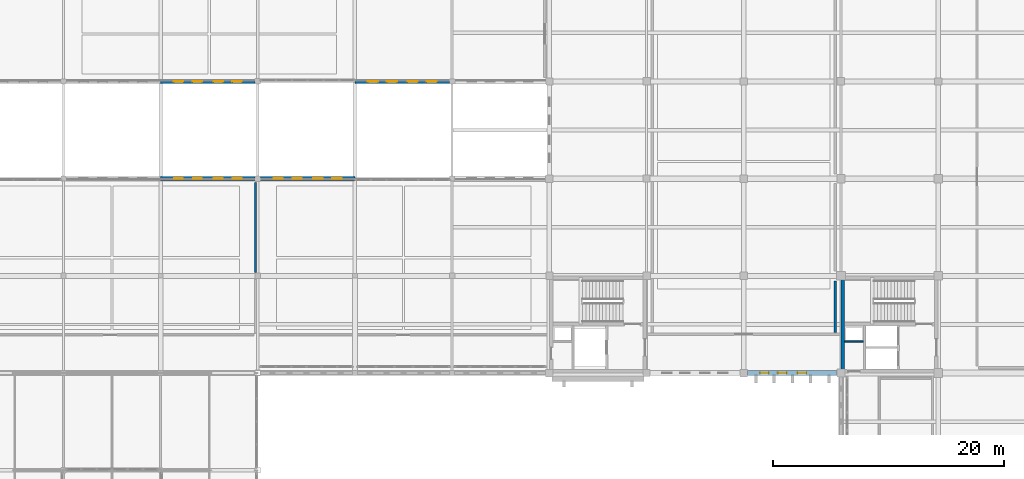
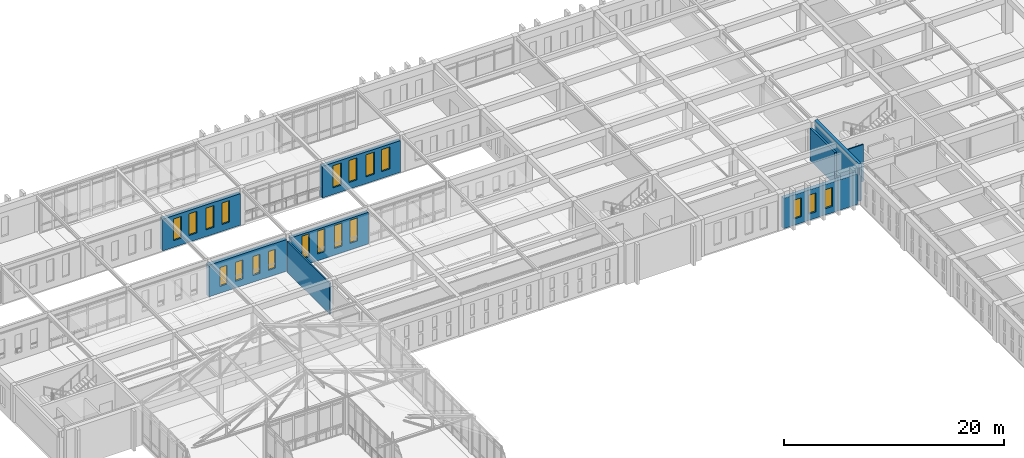
# One storey, part 172 of 192: 19 windows, 9 walls, 19 openings.
"""IFC4 building model written with IfcOpenShell, lengths in metres."""

from ifc_helpers import new_model, si_unit, direction, frame, frame_2d, origin, place, context, subcontext, project, spatial, rectangle, extrude, material, layer, layer_set, type_object, element, fill, save


model = new_model("IFC4")

# Units and contexts
model_context = context("Model", 3, precision=1e-05, world=origin(), true_north=direction((0.0, 1.0)))
body_context = subcontext(model_context, "Body", "Model", "MODEL_VIEW")
ifc_project = project(units=[si_unit("LENGTHUNIT", "METRE"), si_unit("AREAUNIT", "SQUARE_METRE"), si_unit("VOLUMEUNIT", "CUBIC_METRE"), si_unit("PLANEANGLEUNIT", "RADIAN"), si_unit("MASSUNIT", "GRAM", prefix="KILO")], contexts=[model_context])

# Site, building, storey
site_placement = place(None, origin())
site = spatial("IfcSite", under=ifc_project, at=site_placement, CompositionType="ELEMENT")
building_placement = place(site_placement, origin())
building = spatial("IfcBuilding", under=site, at=building_placement, Name="Kveldsbrygga Polytechnic", CompositionType="ELEMENT")
storey_placement = place(building_placement, frame((0.0, 0.0, 5.43994140625)))
storey = spatial("IfcBuildingStorey", under=building, at=storey_placement, Name="L01", CompositionType="ELEMENT", Elevation=5.43994140625)

# Wall, openings, windows
ifc_material_1 = material(Name="Fired clay brick masonry M10", Category="masonry")
ifc_layer_1 = layer(ifc_material_1, 0.3798828125)
ifc_layer_set_1 = layer_set([ifc_layer_1], Name="Fired clay brick masonry M10")
wall_type_1 = type_object("IfcWallType", Name="EW-BRICK-380", PredefinedType="SOLIDWALL", material=ifc_layer_set_1)
wall_1_placement = place(storey_placement, frame((67.199951171875, 109.199951171875, 0.0), z_axis=(0.0, 0.0, 1.0), x_axis=(1.0, 0.0, 0.0)))
wall_1 = element("IfcWall", 1, at=wall_1_placement, inside=storey, type_object=wall_type_1, Name="Exterior Brick Wall EW-L01-X-08-13", PredefinedType="SOLIDWALL", context=body_context, shape_type="SweptSolid", body=[
    extrude(rectangle(XDim=8.175048828125, YDim=0.3798828125, at=frame_2d((4.08740234375, 0.0))), origin(), (0.0, 0.0, 1.0), 3.52001953125),
])
opening_1_placement = place(wall_1_placement, frame((1.143310546875, 0.0, 0.75)))
opening_1 = element("IfcOpeningElement", 2, at=opening_1_placement, cuts=wall_1, Name="Opening W-12", PredefinedType="OPENING", context=body_context, shape_type="SweptSolid", body=[
    extrude(rectangle(XDim=0.820068359375, YDim=2.39990234375, at=frame_2d((0.41015625, 1.199951171875))), frame((0.0, 0.199951171875, 0.0), z_axis=(0.0, -1.0, 0.0), x_axis=(1.0, 0.0, 0.0)), (0.0, 0.0, 1.0), 0.39990234375),
])
opening_2_placement = place(wall_1_placement, frame((2.7783203125, 0.0, 0.75)))
opening_2 = element("IfcOpeningElement", 3, at=opening_2_placement, cuts=wall_1, Name="Opening W-12", PredefinedType="OPENING", context=body_context, shape_type="SweptSolid", body=[
    extrude(rectangle(XDim=0.820068359375, YDim=2.39990234375, at=frame_2d((0.41015625, 1.199951171875))), frame((0.0, 0.199951171875, 0.0), z_axis=(0.0, -1.0, 0.0), x_axis=(1.0, 0.0, 0.0)), (0.0, 0.0, 1.0), 0.39990234375),
])
opening_3_placement = place(wall_1_placement, frame((4.57666015625, 0.0, 0.75)))
opening_3 = element("IfcOpeningElement", 4, at=opening_3_placement, cuts=wall_1, Name="Opening W-12", PredefinedType="OPENING", context=body_context, shape_type="SweptSolid", body=[
    extrude(rectangle(XDim=0.820068359375, YDim=2.39990234375, at=frame_2d((0.41015625, 1.199951171875))), frame((0.0, 0.199951171875, 0.0), z_axis=(0.0, -1.0, 0.0), x_axis=(1.0, 0.0, 0.0)), (0.0, 0.0, 1.0), 0.39990234375),
])
opening_4_placement = place(wall_1_placement, frame((6.211669921875, 0.0, 0.75)))
opening_4 = element("IfcOpeningElement", 5, at=opening_4_placement, cuts=wall_1, Name="Opening W-12", PredefinedType="OPENING", context=body_context, shape_type="SweptSolid", body=[
    extrude(rectangle(XDim=0.820068359375, YDim=2.39990234375, at=frame_2d((0.41015625, 1.199951171875))), frame((0.0, 0.199951171875, 0.0), z_axis=(0.0, -1.0, 0.0), x_axis=(1.0, 0.0, 0.0)), (0.0, 0.0, 1.0), 0.39990234375),
])
ifc_material_2 = material(Name="Insulated triple low-E glass", Category="glass")
window_type_1 = type_object("IfcWindowType", Name="WN-LANC-082x240", PartitioningType="DOUBLE_PANEL_VERTICAL", PredefinedType="WINDOW", material=ifc_material_2)
window_1_placement = place(opening_1_placement, origin())
window_1 = element("IfcWindow", 6, at=window_1_placement, inside=storey, type_object=window_type_1, Name="Gothic Lancet Window WIN-L01-X-08-13-1", OverallHeight=2.39990234375, OverallWidth=0.820068359375, PartitioningType="DOUBLE_PANEL_VERTICAL", PredefinedType="WINDOW", context=body_context, shape_type="SweptSolid", body=[
    extrude(rectangle(XDim=0.820068359375, YDim=2.39990234375, at=frame_2d((0.41015625, 1.199951171875))), frame((0.0, 0.030029296875, 0.0), z_axis=(0.0, -1.0, 0.0), x_axis=(1.0, 0.0, 0.0)), (0.0, 0.0, 1.0), 0.06005859375),
])
fill(opening_1, window_1)
window_2_placement = place(opening_2_placement, origin())
window_2 = element("IfcWindow", 7, at=window_2_placement, inside=storey, type_object=window_type_1, Name="Gothic Lancet Window WIN-L01-X-08-13-2", OverallHeight=2.39990234375, OverallWidth=0.820068359375, PartitioningType="DOUBLE_PANEL_VERTICAL", PredefinedType="WINDOW", context=body_context, shape_type="SweptSolid", body=[
    extrude(rectangle(XDim=0.820068359375, YDim=2.39990234375, at=frame_2d((0.41015625, 1.199951171875))), frame((0.0, 0.030029296875, 0.0), z_axis=(0.0, -1.0, 0.0), x_axis=(1.0, 0.0, 0.0)), (0.0, 0.0, 1.0), 0.06005859375),
])
fill(opening_2, window_2)
window_3_placement = place(opening_3_placement, origin())
window_3 = element("IfcWindow", 8, at=window_3_placement, inside=storey, type_object=window_type_1, Name="Gothic Lancet Window WIN-L01-X-08-13-3", OverallHeight=2.39990234375, OverallWidth=0.820068359375, PartitioningType="DOUBLE_PANEL_VERTICAL", PredefinedType="WINDOW", context=body_context, shape_type="SweptSolid", body=[
    extrude(rectangle(XDim=0.820068359375, YDim=2.39990234375, at=frame_2d((0.41015625, 1.199951171875))), frame((0.0, 0.030029296875, 0.0), z_axis=(0.0, -1.0, 0.0), x_axis=(1.0, 0.0, 0.0)), (0.0, 0.0, 1.0), 0.06005859375),
])
fill(opening_3, window_3)
window_4_placement = place(opening_4_placement, origin())
window_4 = element("IfcWindow", 9, at=window_4_placement, inside=storey, type_object=window_type_1, Name="Gothic Lancet Window WIN-L01-X-08-13-4", OverallHeight=2.39990234375, OverallWidth=0.820068359375, PartitioningType="DOUBLE_PANEL_VERTICAL", PredefinedType="WINDOW", context=body_context, shape_type="SweptSolid", body=[
    extrude(rectangle(XDim=0.820068359375, YDim=2.39990234375, at=frame_2d((0.41015625, 1.199951171875))), frame((0.0, 0.030029296875, 0.0), z_axis=(0.0, -1.0, 0.0), x_axis=(1.0, 0.0, 0.0)), (0.0, 0.0, 1.0), 0.06005859375),
])
fill(opening_4, window_4)

wall_2_placement = place(storey_placement, frame((75.824951171875, 100.800048828125, 0.0), z_axis=(0.0, 0.0, 1.0), x_axis=(1.0, 0.0, 0.0)))
wall_2 = element("IfcWall", 10, at=wall_2_placement, inside=storey, type_object=wall_type_1, Name="Exterior Brick Wall EW-L01-X-09-12", PredefinedType="SOLIDWALL", context=body_context, shape_type="SweptSolid", body=[
    extrude(rectangle(XDim=8.175048828125, YDim=0.3798828125, at=frame_2d((4.08740234375, 0.0))), origin(), (0.0, 0.0, 1.0), 3.52001953125),
])
opening_5_placement = place(wall_2_placement, frame((1.1533203125, 0.0, 0.75)))
opening_5 = element("IfcOpeningElement", 11, at=opening_5_placement, cuts=wall_2, Name="Opening W-10", PredefinedType="OPENING", context=body_context, shape_type="SweptSolid", body=[
    extrude(rectangle(XDim=0.800048828125, YDim=2.550048828125, at=frame_2d((0.39990234375, 1.27490234375))), frame((0.0, 0.199951171875, 0.0), z_axis=(0.0, -1.0, 0.0), x_axis=(1.0, 0.0, 0.0)), (0.0, 0.0, 1.0), 0.39990234375),
])
opening_6_placement = place(wall_2_placement, frame((2.788330078125, 0.0, 0.75)))
opening_6 = element("IfcOpeningElement", 12, at=opening_6_placement, cuts=wall_2, Name="Opening W-10", PredefinedType="OPENING", context=body_context, shape_type="SweptSolid", body=[
    extrude(rectangle(XDim=0.800048828125, YDim=2.550048828125, at=frame_2d((0.39990234375, 1.27490234375))), frame((0.0, 0.199951171875, 0.0), z_axis=(0.0, -1.0, 0.0), x_axis=(1.0, 0.0, 0.0)), (0.0, 0.0, 1.0), 0.39990234375),
])
opening_7_placement = place(wall_2_placement, frame((4.586669921875, 0.0, 0.75)))
opening_7 = element("IfcOpeningElement", 13, at=opening_7_placement, cuts=wall_2, Name="Opening W-10", PredefinedType="OPENING", context=body_context, shape_type="SweptSolid", body=[
    extrude(rectangle(XDim=0.800048828125, YDim=2.550048828125, at=frame_2d((0.39990234375, 1.27490234375))), frame((0.0, 0.199951171875, 0.0), z_axis=(0.0, -1.0, 0.0), x_axis=(1.0, 0.0, 0.0)), (0.0, 0.0, 1.0), 0.39990234375),
])
opening_8_placement = place(wall_2_placement, frame((6.2216796875, 0.0, 0.75)))
opening_8 = element("IfcOpeningElement", 14, at=opening_8_placement, cuts=wall_2, Name="Opening W-10", PredefinedType="OPENING", context=body_context, shape_type="SweptSolid", body=[
    extrude(rectangle(XDim=0.800048828125, YDim=2.550048828125, at=frame_2d((0.39990234375, 1.27490234375))), frame((0.0, 0.199951171875, 0.0), z_axis=(0.0, -1.0, 0.0), x_axis=(1.0, 0.0, 0.0)), (0.0, 0.0, 1.0), 0.39990234375),
])
window_type_2 = type_object("IfcWindowType", Name="WN-LANC-080x255", PartitioningType="DOUBLE_PANEL_VERTICAL", PredefinedType="WINDOW", material=ifc_material_2)
window_5_placement = place(opening_5_placement, origin())
window_5 = element("IfcWindow", 15, at=window_5_placement, inside=storey, type_object=window_type_2, Name="Gothic Lancet Window WIN-L01-X-09-12-1", OverallHeight=2.550048828125, OverallWidth=0.800048828125, PartitioningType="DOUBLE_PANEL_VERTICAL", PredefinedType="WINDOW", context=body_context, shape_type="SweptSolid", body=[
    extrude(rectangle(XDim=0.800048828125, YDim=2.550048828125, at=frame_2d((0.39990234375, 1.27490234375))), frame((0.0, 0.030029296875, 0.0), z_axis=(0.0, -1.0, 0.0), x_axis=(1.0, 0.0, 0.0)), (0.0, 0.0, 1.0), 0.06005859375),
])
fill(opening_5, window_5)
window_6_placement = place(opening_6_placement, origin())
window_6 = element("IfcWindow", 16, at=window_6_placement, inside=storey, type_object=window_type_2, Name="Gothic Lancet Window WIN-L01-X-09-12-2", OverallHeight=2.550048828125, OverallWidth=0.800048828125, PartitioningType="DOUBLE_PANEL_VERTICAL", PredefinedType="WINDOW", context=body_context, shape_type="SweptSolid", body=[
    extrude(rectangle(XDim=0.800048828125, YDim=2.550048828125, at=frame_2d((0.39990234375, 1.27490234375))), frame((0.0, 0.030029296875, 0.0), z_axis=(0.0, -1.0, 0.0), x_axis=(1.0, 0.0, 0.0)), (0.0, 0.0, 1.0), 0.06005859375),
])
fill(opening_6, window_6)
window_7_placement = place(opening_7_placement, origin())
window_7 = element("IfcWindow", 17, at=window_7_placement, inside=storey, type_object=window_type_2, Name="Gothic Lancet Window WIN-L01-X-09-12-3", OverallHeight=2.550048828125, OverallWidth=0.800048828125, PartitioningType="DOUBLE_PANEL_VERTICAL", PredefinedType="WINDOW", context=body_context, shape_type="SweptSolid", body=[
    extrude(rectangle(XDim=0.800048828125, YDim=2.550048828125, at=frame_2d((0.39990234375, 1.27490234375))), frame((0.0, 0.030029296875, 0.0), z_axis=(0.0, -1.0, 0.0), x_axis=(1.0, 0.0, 0.0)), (0.0, 0.0, 1.0), 0.06005859375),
])
fill(opening_7, window_7)
window_8_placement = place(opening_8_placement, origin())
window_8 = element("IfcWindow", 18, at=window_8_placement, inside=storey, type_object=window_type_2, Name="Gothic Lancet Window WIN-L01-X-09-12-4", OverallHeight=2.550048828125, OverallWidth=0.800048828125, PartitioningType="DOUBLE_PANEL_VERTICAL", PredefinedType="WINDOW", context=body_context, shape_type="SweptSolid", body=[
    extrude(rectangle(XDim=0.800048828125, YDim=2.550048828125, at=frame_2d((0.39990234375, 1.27490234375))), frame((0.0, 0.030029296875, 0.0), z_axis=(0.0, -1.0, 0.0), x_axis=(1.0, 0.0, 0.0)), (0.0, 0.0, 1.0), 0.06005859375),
])
fill(opening_8, window_8)

wall_3_placement = place(storey_placement, frame((84.0, 109.199951171875, 0.0), z_axis=(0.0, 0.0, 1.0), x_axis=(1.0, 0.0, 0.0)))
wall_3 = element("IfcWall", 19, at=wall_3_placement, inside=storey, type_object=wall_type_1, Name="Exterior Brick Wall EW-L01-X-10-13", PredefinedType="SOLIDWALL", context=body_context, shape_type="SweptSolid", body=[
    extrude(rectangle(XDim=8.18994140625, YDim=0.3798828125, at=frame_2d((4.094970703125, 0.0))), origin(), (0.0, 0.0, 1.0), 3.52001953125),
])
opening_9_placement = place(wall_3_placement, frame((1.1162109375, 0.0, 0.75)))
opening_9 = element("IfcOpeningElement", 20, at=opening_9_placement, cuts=wall_3, Name="Opening W-18", PredefinedType="OPENING", context=body_context, shape_type="SweptSolid", body=[
    extrude(rectangle(XDim=0.8798828125, YDim=2.449951171875, at=frame_2d((0.43994140625, 1.22509765625))), frame((0.0, 0.199951171875, 0.0), z_axis=(0.0, -1.0, 0.0), x_axis=(1.0, 0.0, 0.0)), (0.0, 0.0, 1.0), 0.39990234375),
])
opening_10_placement = place(wall_3_placement, frame((2.754150390625, 0.0, 0.75)))
opening_10 = element("IfcOpeningElement", 21, at=opening_10_placement, cuts=wall_3, Name="Opening W-18", PredefinedType="OPENING", context=body_context, shape_type="SweptSolid", body=[
    extrude(rectangle(XDim=0.8798828125, YDim=2.449951171875, at=frame_2d((0.43994140625, 1.22509765625))), frame((0.0, 0.199951171875, 0.0), z_axis=(0.0, -1.0, 0.0), x_axis=(1.0, 0.0, 0.0)), (0.0, 0.0, 1.0), 0.39990234375),
])
opening_11_placement = place(wall_3_placement, frame((4.555908203125, 0.0, 0.75)))
opening_11 = element("IfcOpeningElement", 22, at=opening_11_placement, cuts=wall_3, Name="Opening W-18", PredefinedType="OPENING", context=body_context, shape_type="SweptSolid", body=[
    extrude(rectangle(XDim=0.8798828125, YDim=2.449951171875, at=frame_2d((0.43994140625, 1.22509765625))), frame((0.0, 0.199951171875, 0.0), z_axis=(0.0, -1.0, 0.0), x_axis=(1.0, 0.0, 0.0)), (0.0, 0.0, 1.0), 0.39990234375),
])
opening_12_placement = place(wall_3_placement, frame((6.19384765625, 0.0, 0.75)))
opening_12 = element("IfcOpeningElement", 23, at=opening_12_placement, cuts=wall_3, Name="Opening W-18", PredefinedType="OPENING", context=body_context, shape_type="SweptSolid", body=[
    extrude(rectangle(XDim=0.8798828125, YDim=2.449951171875, at=frame_2d((0.43994140625, 1.22509765625))), frame((0.0, 0.199951171875, 0.0), z_axis=(0.0, -1.0, 0.0), x_axis=(1.0, 0.0, 0.0)), (0.0, 0.0, 1.0), 0.39990234375),
])
window_type_3 = type_object("IfcWindowType", Name="WN-LANC-088x245", PartitioningType="DOUBLE_PANEL_VERTICAL", PredefinedType="WINDOW", material=ifc_material_2)
window_9_placement = place(opening_9_placement, origin())
window_9 = element("IfcWindow", 24, at=window_9_placement, inside=storey, type_object=window_type_3, Name="Gothic Lancet Window WIN-L01-X-10-13-1", OverallHeight=2.449951171875, OverallWidth=0.8798828125, PartitioningType="DOUBLE_PANEL_VERTICAL", PredefinedType="WINDOW", context=body_context, shape_type="SweptSolid", body=[
    extrude(rectangle(XDim=0.8798828125, YDim=2.449951171875, at=frame_2d((0.43994140625, 1.22509765625))), frame((0.0, 0.030029296875, 0.0), z_axis=(0.0, -1.0, 0.0), x_axis=(1.0, 0.0, 0.0)), (0.0, 0.0, 1.0), 0.06005859375),
])
fill(opening_9, window_9)
window_10_placement = place(opening_10_placement, origin())
window_10 = element("IfcWindow", 25, at=window_10_placement, inside=storey, type_object=window_type_3, Name="Gothic Lancet Window WIN-L01-X-10-13-2", OverallHeight=2.449951171875, OverallWidth=0.8798828125, PartitioningType="DOUBLE_PANEL_VERTICAL", PredefinedType="WINDOW", context=body_context, shape_type="SweptSolid", body=[
    extrude(rectangle(XDim=0.8798828125, YDim=2.449951171875, at=frame_2d((0.43994140625, 1.22509765625))), frame((0.0, 0.030029296875, 0.0), z_axis=(0.0, -1.0, 0.0), x_axis=(1.0, 0.0, 0.0)), (0.0, 0.0, 1.0), 0.06005859375),
])
fill(opening_10, window_10)
window_11_placement = place(opening_11_placement, origin())
window_11 = element("IfcWindow", 26, at=window_11_placement, inside=storey, type_object=window_type_3, Name="Gothic Lancet Window WIN-L01-X-10-13-3", OverallHeight=2.449951171875, OverallWidth=0.8798828125, PartitioningType="DOUBLE_PANEL_VERTICAL", PredefinedType="WINDOW", context=body_context, shape_type="SweptSolid", body=[
    extrude(rectangle(XDim=0.8798828125, YDim=2.449951171875, at=frame_2d((0.43994140625, 1.22509765625))), frame((0.0, 0.030029296875, 0.0), z_axis=(0.0, -1.0, 0.0), x_axis=(1.0, 0.0, 0.0)), (0.0, 0.0, 1.0), 0.06005859375),
])
fill(opening_11, window_11)
window_12_placement = place(opening_12_placement, origin())
window_12 = element("IfcWindow", 27, at=window_12_placement, inside=storey, type_object=window_type_3, Name="Gothic Lancet Window WIN-L01-X-10-13-4", OverallHeight=2.449951171875, OverallWidth=0.8798828125, PartitioningType="DOUBLE_PANEL_VERTICAL", PredefinedType="WINDOW", context=body_context, shape_type="SweptSolid", body=[
    extrude(rectangle(XDim=0.8798828125, YDim=2.449951171875, at=frame_2d((0.43994140625, 1.22509765625))), frame((0.0, 0.030029296875, 0.0), z_axis=(0.0, -1.0, 0.0), x_axis=(1.0, 0.0, 0.0)), (0.0, 0.0, 1.0), 0.06005859375),
])
fill(opening_12, window_12)

ifc_layer_2 = layer(ifc_material_1, 0.39990234375)
ifc_layer_set_2 = layer_set([ifc_layer_2], Name="Fired clay brick masonry M10")
wall_type_2 = type_object("IfcWallType", Name="EW-BRICK-400", PredefinedType="SOLIDWALL", material=ifc_layer_set_2)
wall_4_placement = place(storey_placement, frame((67.199951171875, 100.800048828125, 0.0), z_axis=(0.0, 0.0, 1.0), x_axis=(1.0, 0.0, 0.0)))
wall_4 = element("IfcWall", 28, at=wall_4_placement, inside=storey, type_object=wall_type_2, Name="Exterior Brick Wall EW-L01-X-08-12", PredefinedType="SOLIDWALL", context=body_context, shape_type="SweptSolid", body=[
    extrude(rectangle(XDim=8.175048828125, YDim=0.39990234375, at=frame_2d((4.08740234375, 0.0))), origin(), (0.0, 0.0, 1.0), 3.52001953125),
])
opening_13_placement = place(wall_4_placement, frame((1.17822265625, 0.0, 0.75)))
opening_13 = element("IfcOpeningElement", 29, at=opening_13_placement, cuts=wall_4, Name="Opening W-27", PredefinedType="OPENING", context=body_context, shape_type="SweptSolid", body=[
    extrude(rectangle(XDim=0.75, YDim=2.10009765625, at=frame_2d((0.375, 1.050048828125))), frame((0.0, 0.2099609375, 0.0), z_axis=(0.0, -1.0, 0.0), x_axis=(1.0, 0.0, 0.0)), (0.0, 0.0, 1.0), 0.419921875),
])
opening_14_placement = place(wall_4_placement, frame((2.813232421875, 0.0, 0.75)))
opening_14 = element("IfcOpeningElement", 30, at=opening_14_placement, cuts=wall_4, Name="Opening W-27", PredefinedType="OPENING", context=body_context, shape_type="SweptSolid", body=[
    extrude(rectangle(XDim=0.75, YDim=2.10009765625, at=frame_2d((0.375, 1.050048828125))), frame((0.0, 0.2099609375, 0.0), z_axis=(0.0, -1.0, 0.0), x_axis=(1.0, 0.0, 0.0)), (0.0, 0.0, 1.0), 0.419921875),
])
opening_15_placement = place(wall_4_placement, frame((4.61181640625, 0.0, 0.75)))
opening_15 = element("IfcOpeningElement", 31, at=opening_15_placement, cuts=wall_4, Name="Opening W-27", PredefinedType="OPENING", context=body_context, shape_type="SweptSolid", body=[
    extrude(rectangle(XDim=0.75, YDim=2.10009765625, at=frame_2d((0.375, 1.050048828125))), frame((0.0, 0.2099609375, 0.0), z_axis=(0.0, -1.0, 0.0), x_axis=(1.0, 0.0, 0.0)), (0.0, 0.0, 1.0), 0.419921875),
])
opening_16_placement = place(wall_4_placement, frame((6.246826171875, 0.0, 0.75)))
opening_16 = element("IfcOpeningElement", 32, at=opening_16_placement, cuts=wall_4, Name="Opening W-27", PredefinedType="OPENING", context=body_context, shape_type="SweptSolid", body=[
    extrude(rectangle(XDim=0.75, YDim=2.10009765625, at=frame_2d((0.375, 1.050048828125))), frame((0.0, 0.2099609375, 0.0), z_axis=(0.0, -1.0, 0.0), x_axis=(1.0, 0.0, 0.0)), (0.0, 0.0, 1.0), 0.419921875),
])
window_type_4 = type_object("IfcWindowType", Name="WN-ATTIC-075x210", PartitioningType="DOUBLE_PANEL_VERTICAL", PredefinedType="WINDOW", material=ifc_material_2)
window_13_placement = place(opening_13_placement, origin())
window_13 = element("IfcWindow", 33, at=window_13_placement, inside=storey, type_object=window_type_4, Name="Gothic Lancet Window WIN-L01-X-08-12-1", OverallHeight=2.10009765625, OverallWidth=0.75, PartitioningType="DOUBLE_PANEL_VERTICAL", PredefinedType="WINDOW", context=body_context, shape_type="SweptSolid", body=[
    extrude(rectangle(XDim=0.75, YDim=2.10009765625, at=frame_2d((0.375, 1.050048828125))), frame((0.0, 0.030029296875, 0.0), z_axis=(0.0, -1.0, 0.0), x_axis=(1.0, 0.0, 0.0)), (0.0, 0.0, 1.0), 0.06005859375),
])
fill(opening_13, window_13)
window_14_placement = place(opening_14_placement, origin())
window_14 = element("IfcWindow", 34, at=window_14_placement, inside=storey, type_object=window_type_4, Name="Gothic Lancet Window WIN-L01-X-08-12-2", OverallHeight=2.10009765625, OverallWidth=0.75, PartitioningType="DOUBLE_PANEL_VERTICAL", PredefinedType="WINDOW", context=body_context, shape_type="SweptSolid", body=[
    extrude(rectangle(XDim=0.75, YDim=2.10009765625, at=frame_2d((0.375, 1.050048828125))), frame((0.0, 0.030029296875, 0.0), z_axis=(0.0, -1.0, 0.0), x_axis=(1.0, 0.0, 0.0)), (0.0, 0.0, 1.0), 0.06005859375),
])
fill(opening_14, window_14)
window_15_placement = place(opening_15_placement, origin())
window_15 = element("IfcWindow", 35, at=window_15_placement, inside=storey, type_object=window_type_4, Name="Gothic Lancet Window WIN-L01-X-08-12-3", OverallHeight=2.10009765625, OverallWidth=0.75, PartitioningType="DOUBLE_PANEL_VERTICAL", PredefinedType="WINDOW", context=body_context, shape_type="SweptSolid", body=[
    extrude(rectangle(XDim=0.75, YDim=2.10009765625, at=frame_2d((0.375, 1.050048828125))), frame((0.0, 0.030029296875, 0.0), z_axis=(0.0, -1.0, 0.0), x_axis=(1.0, 0.0, 0.0)), (0.0, 0.0, 1.0), 0.06005859375),
])
fill(opening_15, window_15)
window_16_placement = place(opening_16_placement, origin())
window_16 = element("IfcWindow", 36, at=window_16_placement, inside=storey, type_object=window_type_4, Name="Gothic Lancet Window WIN-L01-X-08-12-4", OverallHeight=2.10009765625, OverallWidth=0.75, PartitioningType="DOUBLE_PANEL_VERTICAL", PredefinedType="WINDOW", context=body_context, shape_type="SweptSolid", body=[
    extrude(rectangle(XDim=0.75, YDim=2.10009765625, at=frame_2d((0.375, 1.050048828125))), frame((0.0, 0.030029296875, 0.0), z_axis=(0.0, -1.0, 0.0), x_axis=(1.0, 0.0, 0.0)), (0.0, 0.0, 1.0), 0.06005859375),
])
fill(opening_16, window_16)

wall_5_placement = place(storey_placement, frame((117.909912109375, 84.0, 0.0), z_axis=(0.0, 0.0, 1.0), x_axis=(1.0, 0.0, 0.0)))
wall_5 = element("IfcWall", 37, at=wall_5_placement, inside=storey, type_object=wall_type_2, Name="Exterior Brick Wall EW-L01-X-14-10", PredefinedType="SOLIDWALL", context=body_context, shape_type="SweptSolid", body=[
    extrude(rectangle(XDim=7.7451171875, YDim=0.39990234375, at=frame_2d((3.87255859375, 0.0))), origin(), (0.0, 0.0, 1.0), 3.380126953125),
])
opening_17_placement = place(wall_5_placement, frame((1.096435546875, 0.0, 0.699951171875)))
opening_17 = element("IfcOpeningElement", 38, at=opening_17_placement, cuts=wall_5, Name="Opening W-27", PredefinedType="OPENING", context=body_context, shape_type="SweptSolid", body=[
    extrude(rectangle(XDim=0.75, YDim=2.10009765625, at=frame_2d((0.375, 1.050048828125))), frame((0.0, 0.2099609375, 0.0), z_axis=(0.0, -1.0, 0.0), x_axis=(1.0, 0.0, 0.0)), (0.0, 0.0, 1.0), 0.419921875),
])
opening_18_placement = place(wall_5_placement, frame((2.6455078125, 0.0, 0.699951171875)))
opening_18 = element("IfcOpeningElement", 39, at=opening_18_placement, cuts=wall_5, Name="Opening W-27", PredefinedType="OPENING", context=body_context, shape_type="SweptSolid", body=[
    extrude(rectangle(XDim=0.75, YDim=2.10009765625, at=frame_2d((0.375, 1.050048828125))), frame((0.0, 0.2099609375, 0.0), z_axis=(0.0, -1.0, 0.0), x_axis=(1.0, 0.0, 0.0)), (0.0, 0.0, 1.0), 0.419921875),
])
opening_19_placement = place(wall_5_placement, frame((4.349365234375, 0.0, 0.699951171875)))
opening_19 = element("IfcOpeningElement", 40, at=opening_19_placement, cuts=wall_5, Name="Opening W-27", PredefinedType="OPENING", context=body_context, shape_type="SweptSolid", body=[
    extrude(rectangle(XDim=0.75, YDim=2.10009765625, at=frame_2d((0.375, 1.050048828125))), frame((0.0, 0.2099609375, 0.0), z_axis=(0.0, -1.0, 0.0), x_axis=(1.0, 0.0, 0.0)), (0.0, 0.0, 1.0), 0.419921875),
])
window_17_placement = place(opening_17_placement, origin())
window_17 = element("IfcWindow", 41, at=window_17_placement, inside=storey, type_object=window_type_4, Name="Gothic Lancet Window WIN-L01-X-14-10-1", OverallHeight=2.10009765625, OverallWidth=0.75, PartitioningType="DOUBLE_PANEL_VERTICAL", PredefinedType="WINDOW", context=body_context, shape_type="SweptSolid", body=[
    extrude(rectangle(XDim=0.75, YDim=2.10009765625, at=frame_2d((0.375, 1.050048828125))), frame((0.0, 0.030029296875, 0.0), z_axis=(0.0, -1.0, 0.0), x_axis=(1.0, 0.0, 0.0)), (0.0, 0.0, 1.0), 0.06005859375),
])
fill(opening_17, window_17)
window_18_placement = place(opening_18_placement, origin())
window_18 = element("IfcWindow", 42, at=window_18_placement, inside=storey, type_object=window_type_4, Name="Gothic Lancet Window WIN-L01-X-14-10-2", OverallHeight=2.10009765625, OverallWidth=0.75, PartitioningType="DOUBLE_PANEL_VERTICAL", PredefinedType="WINDOW", context=body_context, shape_type="SweptSolid", body=[
    extrude(rectangle(XDim=0.75, YDim=2.10009765625, at=frame_2d((0.375, 1.050048828125))), frame((0.0, 0.030029296875, 0.0), z_axis=(0.0, -1.0, 0.0), x_axis=(1.0, 0.0, 0.0)), (0.0, 0.0, 1.0), 0.06005859375),
])
fill(opening_18, window_18)
window_19_placement = place(opening_19_placement, origin())
window_19 = element("IfcWindow", 43, at=window_19_placement, inside=storey, type_object=window_type_4, Name="Gothic Lancet Window WIN-L01-X-14-10-3", OverallHeight=2.10009765625, OverallWidth=0.75, PartitioningType="DOUBLE_PANEL_VERTICAL", PredefinedType="WINDOW", context=body_context, shape_type="SweptSolid", body=[
    extrude(rectangle(XDim=0.75, YDim=2.10009765625, at=frame_2d((0.375, 1.050048828125))), frame((0.0, 0.030029296875, 0.0), z_axis=(0.0, -1.0, 0.0), x_axis=(1.0, 0.0, 0.0)), (0.0, 0.0, 1.0), 0.06005859375),
])
fill(opening_19, window_19)

# Walls
ifc_layer_3 = layer(ifc_material_1, 0.199951171875)
ifc_layer_set_3 = layer_set([ifc_layer_3], Name="Fired clay brick masonry M10")
wall_type_3 = type_object("IfcWallType", Name="IW-LAB-200", PredefinedType="PARTITIONING", material=ifc_layer_set_3)
wall_6_placement = place(storey_placement, frame((125.5, 87.5, 0.0), z_axis=(0.0, 0.0, 1.0), x_axis=(0.0, 1.0, 0.0)))
element("IfcWall", 44, at=wall_6_placement, inside=storey, type_object=wall_type_3, Name="Partition Wall IW-SP-L01-LAB14-E1", PredefinedType="PARTITIONING", context=body_context, shape_type="SweptSolid", body=[
    extrude(rectangle(XDim=4.465087890625, YDim=0.199951171875, at=frame_2d((2.232421875, 0.0))), origin(), (0.0, 0.0, 1.0), 3.60009765625),
])
ifc_material_3 = material(Name="Moisture-resistant masonry M10", Category="masonry")
ifc_layer_4 = layer(ifc_material_3, 0.1298828125)
ifc_layer_set_4 = layer_set([ifc_layer_4], Name="Moisture-resistant masonry M10")
wall_type_4 = type_object("IfcWallType", Name="IW-SAN-130", PredefinedType="PARTITIONING", material=ifc_layer_set_4)
wall_7_placement = place(storey_placement, frame((126.320068359375, 86.739990234375, 0.0), z_axis=(0.0, 0.0, 1.0), x_axis=(1.0, 0.0, 0.0)))
element("IfcWall", 45, at=wall_7_placement, inside=storey, type_object=wall_type_4, Name="Core AWC Divider C2-L01-W-RSR", PredefinedType="PARTITIONING", context=body_context, shape_type="SweptSolid", body=[
    extrude(rectangle(XDim=1.619873046875, YDim=0.1298828125, at=frame_2d((0.81005859375, 0.0))), origin(), (0.0, 0.0, 1.0), 4.1201171875),
])
ifc_material_4 = material(Name="Gypsum acoustic stud partition")
ifc_layer_5 = layer(ifc_material_4, 0.14990234375)
ifc_layer_set_5 = layer_set([ifc_layer_5], Name="Gypsum acoustic stud partition")
wall_type_5 = type_object("IfcWallType", Name="IW-SEM-150", PredefinedType="PARTITIONING", material=ifc_layer_set_5)
wall_8_placement = place(storey_placement, frame((75.39990234375, 92.699951171875, 0.0), z_axis=(0.0, 0.0, 1.0), x_axis=(0.0, 1.0, 0.0)))
element("IfcWall", 46, at=wall_8_placement, inside=storey, type_object=wall_type_5, Name="Partition Wall IW-SP-L01-SEM11-E2", PredefinedType="PARTITIONING", context=body_context, shape_type="SweptSolid", body=[
    extrude(rectangle(XDim=7.75, YDim=0.14990234375, at=frame_2d((3.875, 0.0))), origin(), (0.0, 0.0, 1.0), 3.43994140625),
])
ifc_material_5 = material(Name="Concrete C45/55", Category="concrete")
ifc_layer_6 = layer(ifc_material_5, 0.300048828125)
ifc_layer_set_6 = layer_set([ifc_layer_6], Name="Concrete C45/55")
wall_type_6 = type_object("IfcWallType", Name="WL-CORE-300", PredefinedType="SHEAR", material=ifc_layer_set_6)
wall_9_placement = place(storey_placement, frame((126.14990234375, 84.14990234375, 0.0), z_axis=(0.0, 0.0, 1.0), x_axis=(0.0, 1.0, 0.0)))
element("IfcWall", 47, at=wall_9_placement, inside=storey, type_object=wall_type_6, Name="Core C2 Shear Wall C2-L01-SW-W", PredefinedType="SHEAR", context=body_context, shape_type="SweptSolid", body=[
    extrude(rectangle(XDim=8.10009765625, YDim=0.300048828125, at=frame_2d((4.050048828125, 0.0))), origin(), (0.0, 0.0, 1.0), 4.1201171875),
])

save(model, "model.ifc")
